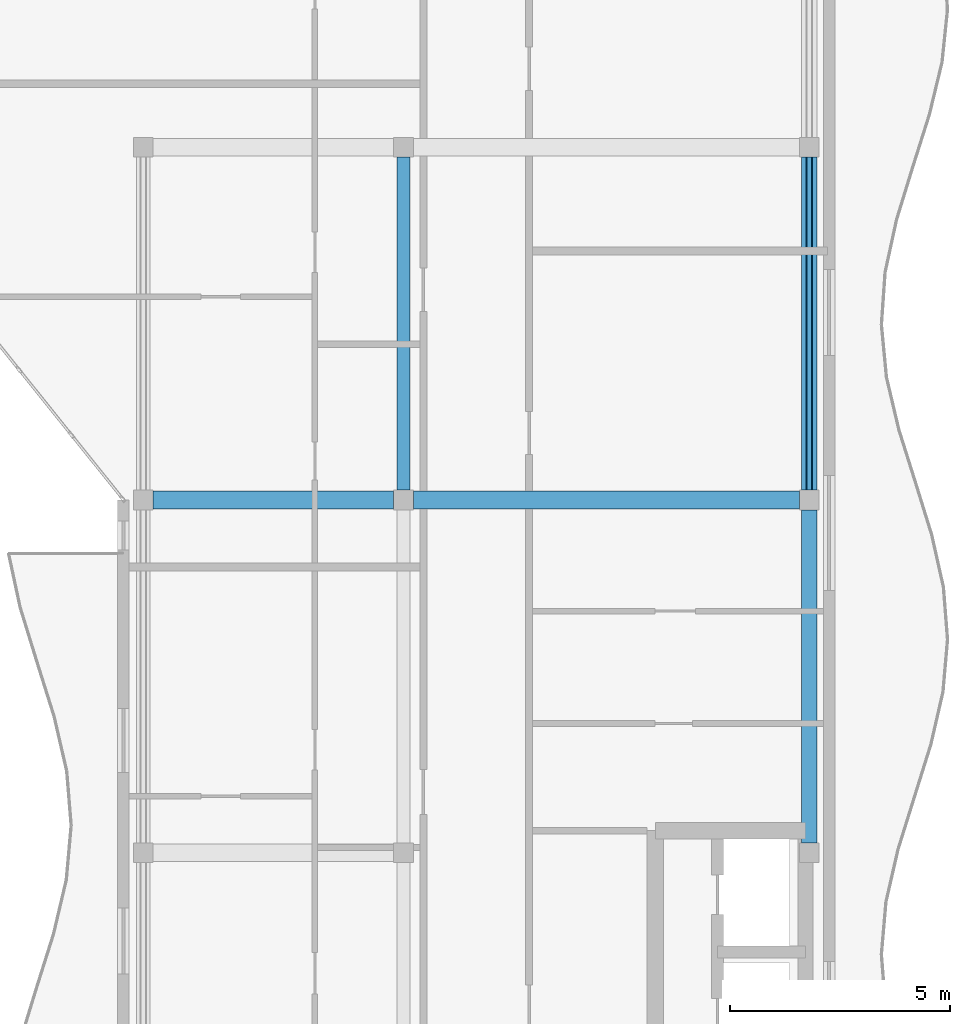
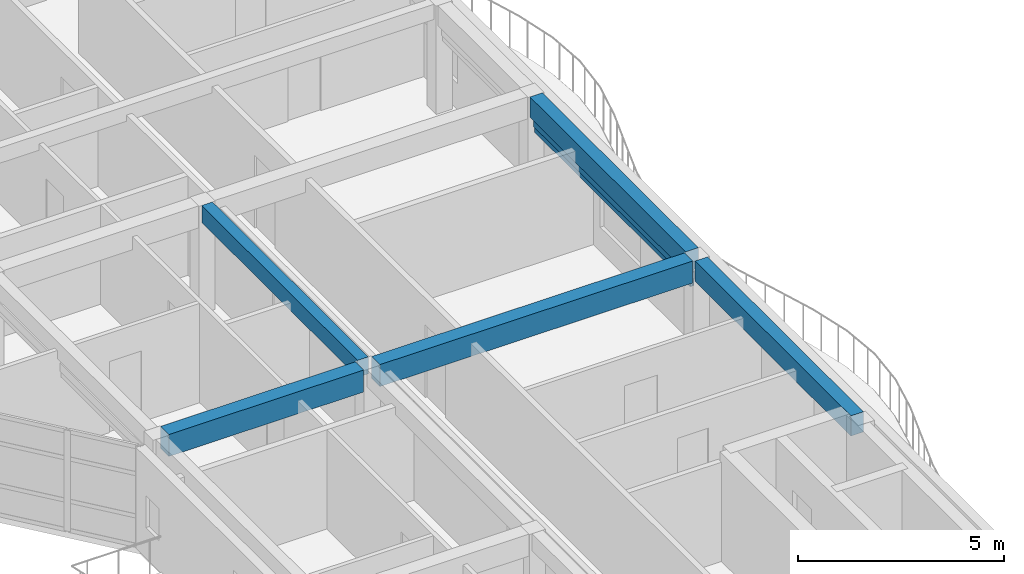
# One storey, part 3 of 14: 5 beams, 2 members.
"""IFC4 building model written with IfcOpenShell, lengths in metres."""

from ifc_helpers import new_model, si_unit, direction, frame, origin, origin_2d, place, context, subcontext, project, spatial, rectangle, hollow_rectangle, extrude, material, material_profile, profile_set, type_object, element, save


model = new_model("IFC4")

# Units and contexts
model_context = context("Model", 3, precision=1e-05, world=origin(), true_north=direction((0.0, 1.0)))
body_context = subcontext(model_context, "Body", "Model", "MODEL_VIEW")
ifc_project = project(units=[si_unit("LENGTHUNIT", "METRE"), si_unit("AREAUNIT", "SQUARE_METRE"), si_unit("VOLUMEUNIT", "CUBIC_METRE"), si_unit("PLANEANGLEUNIT", "RADIAN"), si_unit("MASSUNIT", "GRAM", prefix="KILO")], contexts=[model_context])

# Site, building, storey
site_placement = place(None, origin())
site = spatial("IfcSite", under=ifc_project, at=site_placement, CompositionType="ELEMENT")
building_placement = place(site_placement, origin())
building = spatial("IfcBuilding", under=site, at=building_placement, Name="Keldmere Railside Commons", CompositionType="ELEMENT")
storey_placement = place(building_placement, frame((0.0, 0.0, 42.56005859375)))
storey = spatial("IfcBuildingStorey", under=building, at=storey_placement, Name="L13", CompositionType="ELEMENT", Elevation=42.56005859375)

# Member
ifc_material_1 = material(Name="Steel F-36 (S355)", Category="steel")
ifc_material_profile_1 = material_profile(ifc_material_1, hollow_rectangle(XDim=0.14990234375, YDim=0.25, WallThickness=0.010009765625, at=origin_2d()), Name="RHS-250x150x10")
ifc_profile_set_1 = profile_set([ifc_material_profile_1], Name="Steel F-36 (S355)")
member_type_1 = type_object("IfcMemberType", Name="Balcony Continuous Planted Trough RHS250x150", PredefinedType="CHORD", material=ifc_profile_set_1)
member_1_placement = place(storey_placement, frame((183.550048828125, 88.22509765625, 2.4150390625), z_axis=(0.0, 1.0, 0.0), x_axis=(-1.0, 0.0, 0.0)))
element("IfcMember", 1, at=member_1_placement, inside=storey, type_object=member_type_1, Name="PLT-1 MEM-BPLT-1053", PredefinedType="CHORD", context=body_context, shape_type="SweptSolid", body=[
    extrude(hollow_rectangle(XDim=0.14990234375, YDim=0.25, WallThickness=0.010009765625, at=origin_2d()), origin(), (0.0, 0.0, 1.0), 7.5498046875),
])

# Beams
ifc_material_2 = material(Name="Concrete H-30 (C30/37)", Category="concrete")
ifc_material_profile_2 = material_profile(ifc_material_2, rectangle(XDim=0.35009765625, YDim=0.60009765625, at=origin_2d()), Name="RC-350x600")
ifc_profile_set_2 = profile_set([ifc_material_profile_2], Name="Concrete H-30 (C30/37)")
beam_type_1 = type_object("IfcBeamType", Name="Residential Chord RC Beam 350x600", PredefinedType="BEAM", material=ifc_profile_set_2)
for number, where, z_axis, x_axis, name in (
    (2, (183.550048828125, 80.22509765625, 2.89990234375), (0.0, 1.0, 0.0), (-1.0, 0.0, 0.0), "BG-4 BM-L13-2535"),
    (3, (183.550048828125, 88.22509765625, 2.89990234375), (0.0, 1.0, 0.0), (-1.0, 0.0, 0.0), "BG-4 BM-L13-2536"),
):
    element("IfcBeam", number, at=place(storey_placement, frame(where, z_axis=z_axis, x_axis=x_axis)), inside=storey, type_object=beam_type_1, Name=name, PredefinedType="BEAM", context=body_context, shape_type="SweptSolid", body=[
        extrude(rectangle(XDim=0.35009765625, YDim=0.60009765625, at=origin_2d()), origin(), (0.0, 0.0, 1.0), 7.5498046875),
    ])
ifc_material_profile_3 = material_profile(ifc_material_2, rectangle(XDim=0.39990234375, YDim=0.64990234375, at=origin_2d()), Name="RC-400x650")
ifc_profile_set_3 = profile_set([ifc_material_profile_3], Name="Concrete H-30 (C30/37)")
beam_type_2 = type_object("IfcBeamType", Name="Residential Spine RC Girder 400x650", PredefinedType="BEAM", material=ifc_profile_set_3)
beam_1_placement = place(storey_placement, frame((168.675048828125, 88.0, 2.875), z_axis=(1.0, 0.0, 0.0), x_axis=(0.0, 1.0, 0.0)))
element("IfcBeam", 4, at=beam_1_placement, inside=storey, type_object=beam_type_2, Name="BG-3 BM-L13-2516", PredefinedType="BEAM", context=body_context, shape_type="SweptSolid", body=[
    extrude(rectangle(XDim=0.39990234375, YDim=0.64990234375, at=origin_2d()), origin(), (0.0, 0.0, 1.0), 5.449951171875),
])
beam_2_placement = place(storey_placement, frame((174.574951171875, 88.0, 2.875), z_axis=(1.0, 0.0, 0.0), x_axis=(0.0, 1.0, 0.0)))
element("IfcBeam", 5, at=beam_2_placement, inside=storey, type_object=beam_type_2, Name="BG-3 BM-L13-2517", PredefinedType="BEAM", context=body_context, shape_type="SweptSolid", body=[
    extrude(rectangle(XDim=0.39990234375, YDim=0.64990234375, at=origin_2d()), origin(), (0.0, 0.0, 1.0), 8.75),
])
ifc_material_profile_4 = material_profile(ifc_material_2, rectangle(XDim=0.300048828125, YDim=0.5, at=origin_2d()), Name="RC-300x500")
ifc_profile_set_4 = profile_set([ifc_material_profile_4], Name="Concrete H-30 (C30/37)")
beam_type_3 = type_object("IfcBeamType", Name="Secondary Frame RC Beam 300x500", PredefinedType="BEAM", material=ifc_profile_set_4)
beam_3_placement = place(storey_placement, frame((174.35009765625, 88.22509765625, 2.949951171875), z_axis=(0.0, 1.0, 0.0), x_axis=(-1.0, 0.0, 0.0)))
element("IfcBeam", 6, at=beam_3_placement, inside=storey, type_object=beam_type_3, Name="BG-5 BM-L13-2534", PredefinedType="BEAM", context=body_context, shape_type="SweptSolid", body=[
    extrude(rectangle(XDim=0.300048828125, YDim=0.5, at=origin_2d()), origin(), (0.0, 0.0, 1.0), 7.5498046875),
])

# Member
ifc_material_profile_5 = material_profile(ifc_material_1, hollow_rectangle(XDim=0.10009765625, YDim=0.159912109375, WallThickness=0.008056640625, at=origin_2d()), Name="RHS-160x100x8")
ifc_profile_set_5 = profile_set([ifc_material_profile_5], Name="Steel F-36 (S355)")
member_type_2 = type_object("IfcMemberType", Name="Solar Brise-Soleil Louvre Fin RHS160x100", PredefinedType="STRUT", material=ifc_profile_set_5)
member_2_placement = place(storey_placement, frame((183.550048828125, 88.22509765625, 2.199951171875), z_axis=(0.0, 1.0, 0.0), x_axis=(-1.0, 0.0, 0.0)))
element("IfcMember", 7, at=member_2_placement, inside=storey, type_object=member_type_2, Name="BSF-1 MEM-BSF-1054", PredefinedType="STRUT", context=body_context, shape_type="SweptSolid", body=[
    extrude(hollow_rectangle(XDim=0.10009765625, YDim=0.159912109375, WallThickness=0.008056640625, at=origin_2d()), origin(), (0.0, 0.0, 1.0), 7.5498046875),
])

save(model, "model.ifc")
